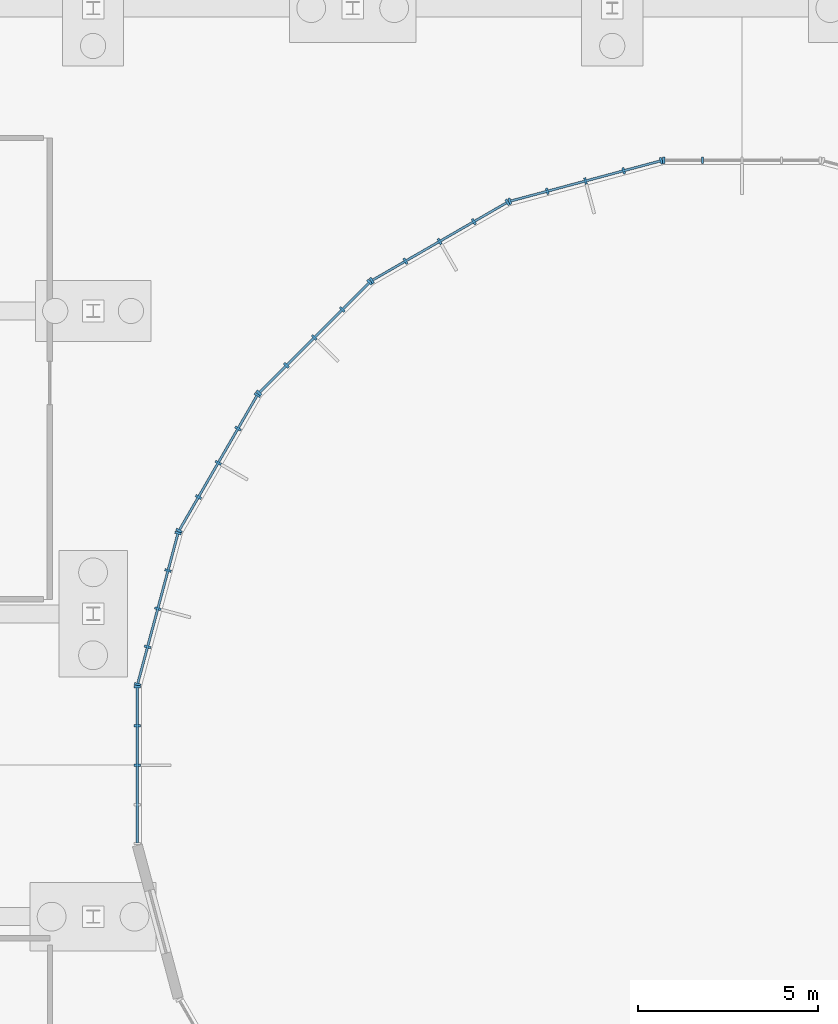
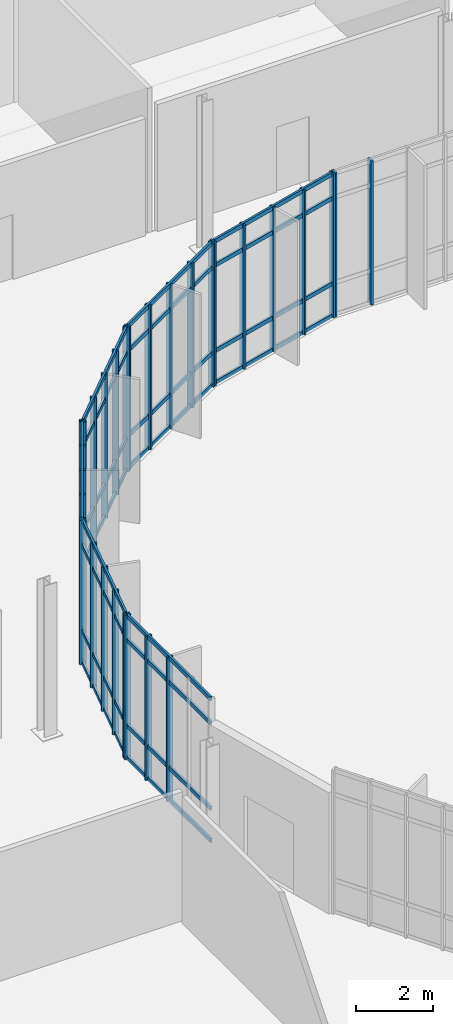
# One storey, part 44 of 118: 54 members, 7 elements without a shape of their own.
"""IFC4 building model written with IfcOpenShell, lengths in metres."""

from ifc_helpers import new_model, si_unit, direction, frame, origin, origin_2d, place, context, subcontext, project, spatial, rectangle, extrude, material, material_profile, profile_set, type_object, element, aggregate, save


model = new_model("IFC4")

# Units and contexts
model_context = context("Model", 3, precision=1e-05, world=origin(), true_north=direction((0.0, 1.0)))
body_context = subcontext(model_context, "Body", "Model", "MODEL_VIEW")
ifc_project = project(units=[si_unit("LENGTHUNIT", "METRE"), si_unit("AREAUNIT", "SQUARE_METRE"), si_unit("VOLUMEUNIT", "CUBIC_METRE"), si_unit("PLANEANGLEUNIT", "RADIAN"), si_unit("MASSUNIT", "GRAM", prefix="KILO")], contexts=[model_context])

# Site, building, storey
site_placement = place(None, origin())
site = spatial("IfcSite", under=ifc_project, at=site_placement, CompositionType="ELEMENT")
building_placement = place(site_placement, origin())
building = spatial("IfcBuilding", under=site, at=building_placement, Name="Qelthora Terrace Specialist Clinic", CompositionType="ELEMENT")
storey_placement = place(building_placement, origin())
storey = spatial("IfcBuildingStorey", under=building, at=storey_placement, Name="L00", CompositionType="ELEMENT", Elevation=0.0)

# Curtain wall, members
ifc_material = material(Name="Aluminium anodized bronze", Category="aluminium")
curtain_wall_type = type_object("IfcCurtainWallType", Name="CW-CRTE-L00", PredefinedType="NOTDEFINED", material=ifc_material)
curtain_wall_1_placement = place(storey_placement, origin())
curtain_wall_1 = element("IfcCurtainWall", 1, at=curtain_wall_1_placement, inside=storey, type_object=curtain_wall_type, Name="Curtain wall CW-CE-L00-06", PredefinedType="NOTDEFINED")
ifc_material_profile_1 = material_profile(ifc_material, rectangle(XDim=0.06494140625, YDim=0.179931640625, at=origin_2d()), Name="CWM65X180")
ifc_profile_set_1 = profile_set([ifc_material_profile_1], Name="Aluminium anodized bronze")
member_type_1 = type_object("IfcMemberType", Name="CWM-65X180", PredefinedType="MULLION", material=ifc_profile_set_1)
member_1_placement = place(storey_placement, frame((124.903564453125, 79.7763671875, 0.0), z_axis=(0.0, 0.0, 1.0), x_axis=(-1.0, 0.0, 0.0)))
member_1 = element("IfcMember", 2, at=member_1_placement, type_object=member_type_1, Name="CW-CE-L00-06 mullion 4", PredefinedType="MULLION", context=body_context, shape_type="SweptSolid", body=[
    extrude(rectangle(XDim=0.06494140625, YDim=0.179931640625, at=origin_2d()), origin(), (0.0, 0.0, 1.0), 4.544921875),
])
member_2_placement = place(storey_placement, frame((123.8271484375, 79.7763671875, 0.0), z_axis=(0.0, 0.0, 1.0), x_axis=(-1.0, 0.0, 0.0)))
member_2 = element("IfcMember", 3, at=member_2_placement, type_object=member_type_1, Name="CW-CE-L00-06 mullion 5", PredefinedType="MULLION", context=body_context, shape_type="SweptSolid", body=[
    extrude(rectangle(XDim=0.06494140625, YDim=0.179931640625, at=origin_2d()), origin(), (0.0, 0.0, 1.0), 4.544921875),
])
aggregate(curtain_wall_1, [member_1, member_2])

curtain_wall_2_placement = place(storey_placement, origin())
curtain_wall_2 = element("IfcCurtainWall", 4, at=curtain_wall_2_placement, inside=storey, type_object=curtain_wall_type, Name="Curtain wall CW-CE-L00-07", PredefinedType="NOTDEFINED")
member_3_placement = place(storey_placement, frame((123.7568359375, 79.76708984375, 0.0), z_axis=(0.0, 0.0, 1.0), x_axis=(-0.965925660235, -0.258819664824, 0.0)))
member_3 = element("IfcMember", 5, at=member_3_placement, type_object=member_type_1, Name="CW-CE-L00-07 mullion 1", PredefinedType="MULLION", context=body_context, shape_type="SweptSolid", body=[
    extrude(rectangle(XDim=0.06494140625, YDim=0.179931640625, at=origin_2d()), origin(), (0.0, 0.0, 1.0), 4.544921875),
])
member_4_placement = place(storey_placement, frame((122.717041015625, 79.488525390625, 0.0), z_axis=(0.0, 0.0, 1.0), x_axis=(-0.965925660235, -0.258819664824, 0.0)))
member_4 = element("IfcMember", 6, at=member_4_placement, type_object=member_type_1, Name="CW-CE-L00-07 mullion 2", PredefinedType="MULLION", context=body_context, shape_type="SweptSolid", body=[
    extrude(rectangle(XDim=0.06494140625, YDim=0.179931640625, at=origin_2d()), origin(), (0.0, 0.0, 1.0), 4.544921875),
])
member_5_placement = place(storey_placement, frame((121.657958984375, 79.20458984375, 0.0), z_axis=(0.0, 0.0, 1.0), x_axis=(-0.965925660235, -0.258819664824, 0.0)))
member_5 = element("IfcMember", 7, at=member_5_placement, type_object=member_type_1, Name="CW-CE-L00-07 mullion 3", PredefinedType="MULLION", context=body_context, shape_type="SweptSolid", body=[
    extrude(rectangle(XDim=0.06494140625, YDim=0.179931640625, at=origin_2d()), origin(), (0.0, 0.0, 1.0), 4.544921875),
])
member_6_placement = place(storey_placement, frame((120.598876953125, 78.9208984375, 0.0), z_axis=(0.0, 0.0, 1.0), x_axis=(-0.965925660235, -0.258819664824, 0.0)))
member_6 = element("IfcMember", 8, at=member_6_placement, type_object=member_type_1, Name="CW-CE-L00-07 mullion 4", PredefinedType="MULLION", context=body_context, shape_type="SweptSolid", body=[
    extrude(rectangle(XDim=0.06494140625, YDim=0.179931640625, at=origin_2d()), origin(), (0.0, 0.0, 1.0), 4.544921875),
])
member_7_placement = place(storey_placement, frame((119.55908203125, 78.642333984375, 0.0), z_axis=(0.0, 0.0, 1.0), x_axis=(-0.965925660235, -0.258819664824, 0.0)))
member_7 = element("IfcMember", 9, at=member_7_placement, type_object=member_type_1, Name="CW-CE-L00-07 mullion 5", PredefinedType="MULLION", context=body_context, shape_type="SweptSolid", body=[
    extrude(rectangle(XDim=0.06494140625, YDim=0.179931640625, at=origin_2d()), origin(), (0.0, 0.0, 1.0), 4.544921875),
])

curtain_wall_3_placement = place(storey_placement, origin())
curtain_wall_3 = element("IfcCurtainWall", 10, at=curtain_wall_3_placement, inside=storey, type_object=curtain_wall_type, Name="Curtain wall CW-CE-L00-08", PredefinedType="NOTDEFINED")
member_8_placement = place(storey_placement, frame((119.49365234375, 78.614990234375, 0.0), z_axis=(0.0, 0.0, 1.0), x_axis=(-0.86602538709, -0.500000028915, 0.0)))
member_8 = element("IfcMember", 11, at=member_8_placement, type_object=member_type_1, Name="CW-CE-L00-08 mullion 1", PredefinedType="MULLION", context=body_context, shape_type="SweptSolid", body=[
    extrude(rectangle(XDim=0.06494140625, YDim=0.179931640625, at=origin_2d()), origin(), (0.0, 0.0, 1.0), 4.544921875),
])
member_9_placement = place(storey_placement, frame((118.561279296875, 78.076904296875, 0.0), z_axis=(0.0, 0.0, 1.0), x_axis=(-0.86602538709, -0.500000028915, 0.0)))
member_9 = element("IfcMember", 12, at=member_9_placement, type_object=member_type_1, Name="CW-CE-L00-08 mullion 2", PredefinedType="MULLION", context=body_context, shape_type="SweptSolid", body=[
    extrude(rectangle(XDim=0.06494140625, YDim=0.179931640625, at=origin_2d()), origin(), (0.0, 0.0, 1.0), 4.544921875),
])
member_10_placement = place(storey_placement, frame((117.61181640625, 77.528564453125, 0.0), z_axis=(0.0, 0.0, 1.0), x_axis=(-0.86602538709, -0.500000028915, 0.0)))
member_10 = element("IfcMember", 13, at=member_10_placement, type_object=member_type_1, Name="CW-CE-L00-08 mullion 3", PredefinedType="MULLION", context=body_context, shape_type="SweptSolid", body=[
    extrude(rectangle(XDim=0.06494140625, YDim=0.179931640625, at=origin_2d()), origin(), (0.0, 0.0, 1.0), 4.544921875),
])
member_11_placement = place(storey_placement, frame((116.662353515625, 76.98046875, 0.0), z_axis=(0.0, 0.0, 1.0), x_axis=(-0.86602538709, -0.500000028915, 0.0)))
member_11 = element("IfcMember", 14, at=member_11_placement, type_object=member_type_1, Name="CW-CE-L00-08 mullion 4", PredefinedType="MULLION", context=body_context, shape_type="SweptSolid", body=[
    extrude(rectangle(XDim=0.06494140625, YDim=0.179931640625, at=origin_2d()), origin(), (0.0, 0.0, 1.0), 4.544921875),
])
member_12_placement = place(storey_placement, frame((115.730224609375, 76.442138671875, 0.0), z_axis=(0.0, 0.0, 1.0), x_axis=(-0.86602538709, -0.500000028915, 0.0)))
member_12 = element("IfcMember", 15, at=member_12_placement, type_object=member_type_1, Name="CW-CE-L00-08 mullion 5", PredefinedType="MULLION", context=body_context, shape_type="SweptSolid", body=[
    extrude(rectangle(XDim=0.06494140625, YDim=0.179931640625, at=origin_2d()), origin(), (0.0, 0.0, 1.0), 4.544921875),
])

curtain_wall_4_placement = place(storey_placement, origin())
curtain_wall_4 = element("IfcCurtainWall", 16, at=curtain_wall_4_placement, inside=storey, type_object=curtain_wall_type, Name="Curtain wall CW-CE-L00-09", PredefinedType="NOTDEFINED")
member_13_placement = place(storey_placement, frame((115.673828125, 76.399169921875, 0.0), z_axis=(0.0, 0.0, 1.0), x_axis=(-0.707106781187, -0.707106781187, 0.0)))
member_13 = element("IfcMember", 17, at=member_13_placement, type_object=member_type_1, Name="CW-CE-L00-09 mullion 1", PredefinedType="MULLION", context=body_context, shape_type="SweptSolid", body=[
    extrude(rectangle(XDim=0.06494140625, YDim=0.179931640625, at=origin_2d()), origin(), (0.0, 0.0, 1.0), 4.544921875),
])
member_14_placement = place(storey_placement, frame((114.91259765625, 75.637939453125, 0.0), z_axis=(0.0, 0.0, 1.0), x_axis=(-0.707106781187, -0.707106781187, 0.0)))
member_14 = element("IfcMember", 18, at=member_14_placement, type_object=member_type_1, Name="CW-CE-L00-09 mullion 2", PredefinedType="MULLION", context=body_context, shape_type="SweptSolid", body=[
    extrude(rectangle(XDim=0.06494140625, YDim=0.179931640625, at=origin_2d()), origin(), (0.0, 0.0, 1.0), 4.544921875),
])
member_15_placement = place(storey_placement, frame((114.137451171875, 74.862548828125, 0.0), z_axis=(0.0, 0.0, 1.0), x_axis=(-0.707106781187, -0.707106781187, 0.0)))
member_15 = element("IfcMember", 19, at=member_15_placement, type_object=member_type_1, Name="CW-CE-L00-09 mullion 3", PredefinedType="MULLION", context=body_context, shape_type="SweptSolid", body=[
    extrude(rectangle(XDim=0.06494140625, YDim=0.179931640625, at=origin_2d()), origin(), (0.0, 0.0, 1.0), 4.544921875),
])
member_16_placement = place(storey_placement, frame((113.362060546875, 74.08740234375, 0.0), z_axis=(0.0, 0.0, 1.0), x_axis=(-0.707106781187, -0.707106781187, 0.0)))
member_16 = element("IfcMember", 20, at=member_16_placement, type_object=member_type_1, Name="CW-CE-L00-09 mullion 4", PredefinedType="MULLION", context=body_context, shape_type="SweptSolid", body=[
    extrude(rectangle(XDim=0.06494140625, YDim=0.179931640625, at=origin_2d()), origin(), (0.0, 0.0, 1.0), 4.544921875),
])
member_17_placement = place(storey_placement, frame((112.600830078125, 73.326171875, 0.0), z_axis=(0.0, 0.0, 1.0), x_axis=(-0.707106781187, -0.707106781187, 0.0)))
member_17 = element("IfcMember", 21, at=member_17_placement, type_object=member_type_1, Name="CW-CE-L00-09 mullion 5", PredefinedType="MULLION", context=body_context, shape_type="SweptSolid", body=[
    extrude(rectangle(XDim=0.06494140625, YDim=0.179931640625, at=origin_2d()), origin(), (0.0, 0.0, 1.0), 4.544921875),
])

curtain_wall_5_placement = place(storey_placement, origin())
curtain_wall_5 = element("IfcCurtainWall", 22, at=curtain_wall_5_placement, inside=storey, type_object=curtain_wall_type, Name="Curtain wall CW-CE-L00-10", PredefinedType="NOTDEFINED")
member_18_placement = place(storey_placement, frame((112.557861328125, 73.269775390625, 0.0), z_axis=(0.0, 0.0, 1.0), x_axis=(-0.500000028915, -0.86602538709, 0.0)))
member_18 = element("IfcMember", 23, at=member_18_placement, type_object=member_type_1, Name="CW-CE-L00-10 mullion 1", PredefinedType="MULLION", context=body_context, shape_type="SweptSolid", body=[
    extrude(rectangle(XDim=0.06494140625, YDim=0.179931640625, at=origin_2d()), origin(), (0.0, 0.0, 1.0), 4.544921875),
])
member_19_placement = place(storey_placement, frame((112.01953125, 72.337646484375, 0.0), z_axis=(0.0, 0.0, 1.0), x_axis=(-0.500000028915, -0.86602538709, 0.0)))
member_19 = element("IfcMember", 24, at=member_19_placement, type_object=member_type_1, Name="CW-CE-L00-10 mullion 2", PredefinedType="MULLION", context=body_context, shape_type="SweptSolid", body=[
    extrude(rectangle(XDim=0.06494140625, YDim=0.179931640625, at=origin_2d()), origin(), (0.0, 0.0, 1.0), 4.544921875),
])
member_20_placement = place(storey_placement, frame((111.471435546875, 71.38818359375, 0.0), z_axis=(0.0, 0.0, 1.0), x_axis=(-0.500000028915, -0.86602538709, 0.0)))
member_20 = element("IfcMember", 25, at=member_20_placement, type_object=member_type_1, Name="CW-CE-L00-10 mullion 3", PredefinedType="MULLION", context=body_context, shape_type="SweptSolid", body=[
    extrude(rectangle(XDim=0.06494140625, YDim=0.179931640625, at=origin_2d()), origin(), (0.0, 0.0, 1.0), 4.544921875),
])
member_21_placement = place(storey_placement, frame((110.923095703125, 70.438720703125, 0.0), z_axis=(0.0, 0.0, 1.0), x_axis=(-0.500000028915, -0.86602538709, 0.0)))
member_21 = element("IfcMember", 26, at=member_21_placement, type_object=member_type_1, Name="CW-CE-L00-10 mullion 4", PredefinedType="MULLION", context=body_context, shape_type="SweptSolid", body=[
    extrude(rectangle(XDim=0.06494140625, YDim=0.179931640625, at=origin_2d()), origin(), (0.0, 0.0, 1.0), 4.544921875),
])
member_22_placement = place(storey_placement, frame((110.385009765625, 69.50634765625, 0.0), z_axis=(0.0, 0.0, 1.0), x_axis=(-0.500000028915, -0.86602538709, 0.0)))
member_22 = element("IfcMember", 27, at=member_22_placement, type_object=member_type_1, Name="CW-CE-L00-10 mullion 5", PredefinedType="MULLION", context=body_context, shape_type="SweptSolid", body=[
    extrude(rectangle(XDim=0.06494140625, YDim=0.179931640625, at=origin_2d()), origin(), (0.0, 0.0, 1.0), 4.544921875),
])

curtain_wall_6_placement = place(storey_placement, origin())
curtain_wall_6 = element("IfcCurtainWall", 28, at=curtain_wall_6_placement, inside=storey, type_object=curtain_wall_type, Name="Curtain wall CW-CE-L00-11", PredefinedType="NOTDEFINED")
member_23_placement = place(storey_placement, frame((110.357666015625, 69.44091796875, 0.0), z_axis=(0.0, 0.0, 1.0), x_axis=(-0.258819664824, -0.965925660235, 0.0)))
member_23 = element("IfcMember", 29, at=member_23_placement, type_object=member_type_1, Name="CW-CE-L00-11 mullion 1", PredefinedType="MULLION", context=body_context, shape_type="SweptSolid", body=[
    extrude(rectangle(XDim=0.06494140625, YDim=0.179931640625, at=origin_2d()), origin(), (0.0, 0.0, 1.0), 4.544921875),
])
member_24_placement = place(storey_placement, frame((110.0791015625, 68.401123046875, 0.0), z_axis=(0.0, 0.0, 1.0), x_axis=(-0.258819664824, -0.965925660235, 0.0)))
member_24 = element("IfcMember", 30, at=member_24_placement, type_object=member_type_1, Name="CW-CE-L00-11 mullion 2", PredefinedType="MULLION", context=body_context, shape_type="SweptSolid", body=[
    extrude(rectangle(XDim=0.06494140625, YDim=0.179931640625, at=origin_2d()), origin(), (0.0, 0.0, 1.0), 4.544921875),
])
member_25_placement = place(storey_placement, frame((109.79541015625, 67.342041015625, 0.0), z_axis=(0.0, 0.0, 1.0), x_axis=(-0.258819664824, -0.965925660235, 0.0)))
member_25 = element("IfcMember", 31, at=member_25_placement, type_object=member_type_1, Name="CW-CE-L00-11 mullion 3", PredefinedType="MULLION", context=body_context, shape_type="SweptSolid", body=[
    extrude(rectangle(XDim=0.06494140625, YDim=0.179931640625, at=origin_2d()), origin(), (0.0, 0.0, 1.0), 4.544921875),
])
member_26_placement = place(storey_placement, frame((109.511474609375, 66.282958984375, 0.0), z_axis=(0.0, 0.0, 1.0), x_axis=(-0.258819664824, -0.965925660235, 0.0)))
member_26 = element("IfcMember", 32, at=member_26_placement, type_object=member_type_1, Name="CW-CE-L00-11 mullion 4", PredefinedType="MULLION", context=body_context, shape_type="SweptSolid", body=[
    extrude(rectangle(XDim=0.06494140625, YDim=0.179931640625, at=origin_2d()), origin(), (0.0, 0.0, 1.0), 4.544921875),
])
member_27_placement = place(storey_placement, frame((109.23291015625, 65.2431640625, 0.0), z_axis=(0.0, 0.0, 1.0), x_axis=(-0.258819664824, -0.965925660235, 0.0)))
member_27 = element("IfcMember", 33, at=member_27_placement, type_object=member_type_1, Name="CW-CE-L00-11 mullion 5", PredefinedType="MULLION", context=body_context, shape_type="SweptSolid", body=[
    extrude(rectangle(XDim=0.06494140625, YDim=0.179931640625, at=origin_2d()), origin(), (0.0, 0.0, 1.0), 4.544921875),
])

curtain_wall_7_placement = place(storey_placement, origin())
curtain_wall_7 = element("IfcCurtainWall", 34, at=curtain_wall_7_placement, inside=storey, type_object=curtain_wall_type, Name="Curtain wall CW-CE-L00-12", PredefinedType="NOTDEFINED")
member_28_placement = place(storey_placement, frame((109.2236328125, 65.1728515625, 0.0), z_axis=(0.0, 0.0, 1.0), x_axis=(0.0, -1.0, 0.0)))
member_28 = element("IfcMember", 35, at=member_28_placement, type_object=member_type_1, Name="CW-CE-L00-12 mullion 1", PredefinedType="MULLION", context=body_context, shape_type="SweptSolid", body=[
    extrude(rectangle(XDim=0.06494140625, YDim=0.179931640625, at=origin_2d()), origin(), (0.0, 0.0, 1.0), 4.544921875),
])
member_29_placement = place(storey_placement, frame((109.2236328125, 64.096435546875, 0.0), z_axis=(0.0, 0.0, 1.0), x_axis=(0.0, -1.0, 0.0)))
member_29 = element("IfcMember", 36, at=member_29_placement, type_object=member_type_1, Name="CW-CE-L00-12 mullion 2", PredefinedType="MULLION", context=body_context, shape_type="SweptSolid", body=[
    extrude(rectangle(XDim=0.06494140625, YDim=0.179931640625, at=origin_2d()), origin(), (0.0, 0.0, 1.0), 4.544921875),
])
member_30_placement = place(storey_placement, frame((109.2236328125, 63.0, 0.0), z_axis=(0.0, 0.0, 1.0), x_axis=(0.0, -1.0, 0.0)))
member_30 = element("IfcMember", 37, at=member_30_placement, type_object=member_type_1, Name="CW-CE-L00-12 mullion 3", PredefinedType="MULLION", context=body_context, shape_type="SweptSolid", body=[
    extrude(rectangle(XDim=0.06494140625, YDim=0.179931640625, at=origin_2d()), origin(), (0.0, 0.0, 1.0), 4.544921875),
])

# Member
ifc_material_profile_2 = material_profile(ifc_material, rectangle(XDim=0.06494140625, YDim=0.1298828125, at=origin_2d()), Name="CWT65X130")
ifc_profile_set_2 = profile_set([ifc_material_profile_2], Name="Aluminium anodized bronze")
member_type_2 = type_object("IfcMemberType", Name="CWT-65X130", PredefinedType="USERDEFINED", material=ifc_profile_set_2)
member_31_placement = place(storey_placement, frame((123.737548828125, 79.76171875, 0.0400390625), z_axis=(-0.965933119212, -0.25879182601, 0.0), x_axis=(0.25879182601, -0.965933119212, 0.0)))
member_31 = element("IfcMember", 38, at=member_31_placement, type_object=member_type_2, Name="CW-CE-L00-07 transom 1", ObjectType="TRANSOM", PredefinedType="USERDEFINED", context=body_context, shape_type="SweptSolid", body=[
    extrude(rectangle(XDim=0.06494140625, YDim=0.1298828125, at=origin_2d()), origin(), (0.0, 0.0, 1.0), 4.3056640625),
])

member_32_placement = place(storey_placement, frame((123.737548828125, 79.76171875, 1.050048828125), z_axis=(-0.965933119212, -0.25879182601, 0.0), x_axis=(0.25879182601, -0.965933119212, 0.0)))
member_32 = element("IfcMember", 39, at=member_32_placement, type_object=member_type_2, Name="CW-CE-L00-07 transom 2", ObjectType="TRANSOM", PredefinedType="USERDEFINED", context=body_context, shape_type="SweptSolid", body=[
    extrude(rectangle(XDim=0.06494140625, YDim=0.1298828125, at=origin_2d()), origin(), (0.0, 0.0, 1.0), 4.3056640625),
])

member_33_placement = place(storey_placement, frame((123.737548828125, 79.76171875, 3.7451171875), z_axis=(-0.965933119212, -0.25879182601, 0.0), x_axis=(0.25879182601, -0.965933119212, 0.0)))
member_33 = element("IfcMember", 40, at=member_33_placement, type_object=member_type_2, Name="CW-CE-L00-07 transom 3", ObjectType="TRANSOM", PredefinedType="USERDEFINED", context=body_context, shape_type="SweptSolid", body=[
    extrude(rectangle(XDim=0.06494140625, YDim=0.1298828125, at=origin_2d()), origin(), (0.0, 0.0, 1.0), 4.3056640625),
])

member_34_placement = place(storey_placement, frame((123.737548828125, 79.76171875, 4.5048828125), z_axis=(-0.965933119212, -0.25879182601, 0.0), x_axis=(0.25879182601, -0.965933119212, 0.0)))
member_34 = element("IfcMember", 41, at=member_34_placement, type_object=member_type_2, Name="CW-CE-L00-07 transom 4", ObjectType="TRANSOM", PredefinedType="USERDEFINED", context=body_context, shape_type="SweptSolid", body=[
    extrude(rectangle(XDim=0.06494140625, YDim=0.1298828125, at=origin_2d()), origin(), (0.0, 0.0, 1.0), 4.3056640625),
])

aggregate(curtain_wall_2, [member_3, member_4, member_5, member_6, member_7, member_31, member_32, member_33, member_34])

member_35_placement = place(storey_placement, frame((119.476318359375, 78.60498046875, 0.0400390625), z_axis=(-0.866022228109, -0.500005500391, 0.0), x_axis=(0.500005500391, -0.866022228109, 0.0)))
member_35 = element("IfcMember", 42, at=member_35_placement, type_object=member_type_2, Name="CW-CE-L00-08 transom 1", ObjectType="TRANSOM", PredefinedType="USERDEFINED", context=body_context, shape_type="SweptSolid", body=[
    extrude(rectangle(XDim=0.06494140625, YDim=0.1298828125, at=origin_2d()), origin(), (0.0, 0.0, 1.0), 4.3056640625),
])

member_36_placement = place(storey_placement, frame((119.476318359375, 78.60498046875, 1.050048828125), z_axis=(-0.866022228109, -0.500005500391, 0.0), x_axis=(0.500005500391, -0.866022228109, 0.0)))
member_36 = element("IfcMember", 43, at=member_36_placement, type_object=member_type_2, Name="CW-CE-L00-08 transom 2", ObjectType="TRANSOM", PredefinedType="USERDEFINED", context=body_context, shape_type="SweptSolid", body=[
    extrude(rectangle(XDim=0.06494140625, YDim=0.1298828125, at=origin_2d()), origin(), (0.0, 0.0, 1.0), 4.3056640625),
])

member_37_placement = place(storey_placement, frame((119.476318359375, 78.60498046875, 3.7451171875), z_axis=(-0.866022228109, -0.500005500391, 0.0), x_axis=(0.500005500391, -0.866022228109, 0.0)))
member_37 = element("IfcMember", 44, at=member_37_placement, type_object=member_type_2, Name="CW-CE-L00-08 transom 3", ObjectType="TRANSOM", PredefinedType="USERDEFINED", context=body_context, shape_type="SweptSolid", body=[
    extrude(rectangle(XDim=0.06494140625, YDim=0.1298828125, at=origin_2d()), origin(), (0.0, 0.0, 1.0), 4.3056640625),
])

member_38_placement = place(storey_placement, frame((119.476318359375, 78.60498046875, 4.5048828125), z_axis=(-0.866022228109, -0.500005500391, 0.0), x_axis=(0.500005500391, -0.866022228109, 0.0)))
member_38 = element("IfcMember", 45, at=member_38_placement, type_object=member_type_2, Name="CW-CE-L00-08 transom 4", ObjectType="TRANSOM", PredefinedType="USERDEFINED", context=body_context, shape_type="SweptSolid", body=[
    extrude(rectangle(XDim=0.06494140625, YDim=0.1298828125, at=origin_2d()), origin(), (0.0, 0.0, 1.0), 4.3056640625),
])

aggregate(curtain_wall_3, [member_8, member_9, member_10, member_11, member_12, member_35, member_36, member_37, member_38])

member_39_placement = place(storey_placement, frame((115.65966796875, 76.385009765625, 0.0400390625), z_axis=(-0.707106781187, -0.707106781187, 0.0), x_axis=(0.707106781187, -0.707106781187, 0.0)))
member_39 = element("IfcMember", 46, at=member_39_placement, type_object=member_type_2, Name="CW-CE-L00-09 transom 1", ObjectType="TRANSOM", PredefinedType="USERDEFINED", context=body_context, shape_type="SweptSolid", body=[
    extrude(rectangle(XDim=0.06494140625, YDim=0.1298828125, at=origin_2d()), origin(), (0.0, 0.0, 1.0), 4.305908203125),
])

member_40_placement = place(storey_placement, frame((115.65966796875, 76.385009765625, 1.050048828125), z_axis=(-0.707106781187, -0.707106781187, 0.0), x_axis=(0.707106781187, -0.707106781187, 0.0)))
member_40 = element("IfcMember", 47, at=member_40_placement, type_object=member_type_2, Name="CW-CE-L00-09 transom 2", ObjectType="TRANSOM", PredefinedType="USERDEFINED", context=body_context, shape_type="SweptSolid", body=[
    extrude(rectangle(XDim=0.06494140625, YDim=0.1298828125, at=origin_2d()), origin(), (0.0, 0.0, 1.0), 4.305908203125),
])

member_41_placement = place(storey_placement, frame((115.65966796875, 76.385009765625, 3.7451171875), z_axis=(-0.707106781187, -0.707106781187, 0.0), x_axis=(0.707106781187, -0.707106781187, 0.0)))
member_41 = element("IfcMember", 48, at=member_41_placement, type_object=member_type_2, Name="CW-CE-L00-09 transom 3", ObjectType="TRANSOM", PredefinedType="USERDEFINED", context=body_context, shape_type="SweptSolid", body=[
    extrude(rectangle(XDim=0.06494140625, YDim=0.1298828125, at=origin_2d()), origin(), (0.0, 0.0, 1.0), 4.305908203125),
])

member_42_placement = place(storey_placement, frame((115.65966796875, 76.385009765625, 4.5048828125), z_axis=(-0.707106781187, -0.707106781187, 0.0), x_axis=(0.707106781187, -0.707106781187, 0.0)))
member_42 = element("IfcMember", 49, at=member_42_placement, type_object=member_type_2, Name="CW-CE-L00-09 transom 4", ObjectType="TRANSOM", PredefinedType="USERDEFINED", context=body_context, shape_type="SweptSolid", body=[
    extrude(rectangle(XDim=0.06494140625, YDim=0.1298828125, at=origin_2d()), origin(), (0.0, 0.0, 1.0), 4.305908203125),
])

aggregate(curtain_wall_4, [member_13, member_14, member_15, member_16, member_17, member_39, member_40, member_41, member_42])

member_43_placement = place(storey_placement, frame((112.5478515625, 73.25244140625, 0.0400390625), z_axis=(-0.500005500391, -0.866022228109, 0.0), x_axis=(0.866022228109, -0.500005500391, 0.0)))
member_43 = element("IfcMember", 50, at=member_43_placement, type_object=member_type_2, Name="CW-CE-L00-10 transom 1", ObjectType="TRANSOM", PredefinedType="USERDEFINED", context=body_context, shape_type="SweptSolid", body=[
    extrude(rectangle(XDim=0.06494140625, YDim=0.1298828125, at=origin_2d()), origin(), (0.0, 0.0, 1.0), 4.3056640625),
])

member_44_placement = place(storey_placement, frame((112.5478515625, 73.25244140625, 1.050048828125), z_axis=(-0.500005500391, -0.866022228109, 0.0), x_axis=(0.866022228109, -0.500005500391, 0.0)))
member_44 = element("IfcMember", 51, at=member_44_placement, type_object=member_type_2, Name="CW-CE-L00-10 transom 2", ObjectType="TRANSOM", PredefinedType="USERDEFINED", context=body_context, shape_type="SweptSolid", body=[
    extrude(rectangle(XDim=0.06494140625, YDim=0.1298828125, at=origin_2d()), origin(), (0.0, 0.0, 1.0), 4.3056640625),
])

member_45_placement = place(storey_placement, frame((112.5478515625, 73.25244140625, 3.7451171875), z_axis=(-0.500005500391, -0.866022228109, 0.0), x_axis=(0.866022228109, -0.500005500391, 0.0)))
member_45 = element("IfcMember", 52, at=member_45_placement, type_object=member_type_2, Name="CW-CE-L00-10 transom 3", ObjectType="TRANSOM", PredefinedType="USERDEFINED", context=body_context, shape_type="SweptSolid", body=[
    extrude(rectangle(XDim=0.06494140625, YDim=0.1298828125, at=origin_2d()), origin(), (0.0, 0.0, 1.0), 4.3056640625),
])

member_46_placement = place(storey_placement, frame((112.5478515625, 73.25244140625, 4.5048828125), z_axis=(-0.500005500391, -0.866022228109, 0.0), x_axis=(0.866022228109, -0.500005500391, 0.0)))
member_46 = element("IfcMember", 53, at=member_46_placement, type_object=member_type_2, Name="CW-CE-L00-10 transom 4", ObjectType="TRANSOM", PredefinedType="USERDEFINED", context=body_context, shape_type="SweptSolid", body=[
    extrude(rectangle(XDim=0.06494140625, YDim=0.1298828125, at=origin_2d()), origin(), (0.0, 0.0, 1.0), 4.3056640625),
])

aggregate(curtain_wall_5, [member_18, member_19, member_20, member_21, member_22, member_43, member_44, member_45, member_46])

member_47_placement = place(storey_placement, frame((110.3525390625, 69.42138671875, 0.0400390625), z_axis=(-0.25879182601, -0.965933119212, 0.0), x_axis=(0.965933119212, -0.25879182601, 0.0)))
member_47 = element("IfcMember", 54, at=member_47_placement, type_object=member_type_2, Name="CW-CE-L00-11 transom 1", ObjectType="TRANSOM", PredefinedType="USERDEFINED", context=body_context, shape_type="SweptSolid", body=[
    extrude(rectangle(XDim=0.06494140625, YDim=0.1298828125, at=origin_2d()), origin(), (0.0, 0.0, 1.0), 4.3056640625),
])

member_48_placement = place(storey_placement, frame((110.3525390625, 69.42138671875, 1.050048828125), z_axis=(-0.25879182601, -0.965933119212, 0.0), x_axis=(0.965933119212, -0.25879182601, 0.0)))
member_48 = element("IfcMember", 55, at=member_48_placement, type_object=member_type_2, Name="CW-CE-L00-11 transom 2", ObjectType="TRANSOM", PredefinedType="USERDEFINED", context=body_context, shape_type="SweptSolid", body=[
    extrude(rectangle(XDim=0.06494140625, YDim=0.1298828125, at=origin_2d()), origin(), (0.0, 0.0, 1.0), 4.3056640625),
])

member_49_placement = place(storey_placement, frame((110.3525390625, 69.42138671875, 3.7451171875), z_axis=(-0.25879182601, -0.965933119212, 0.0), x_axis=(0.965933119212, -0.25879182601, 0.0)))
member_49 = element("IfcMember", 56, at=member_49_placement, type_object=member_type_2, Name="CW-CE-L00-11 transom 3", ObjectType="TRANSOM", PredefinedType="USERDEFINED", context=body_context, shape_type="SweptSolid", body=[
    extrude(rectangle(XDim=0.06494140625, YDim=0.1298828125, at=origin_2d()), origin(), (0.0, 0.0, 1.0), 4.3056640625),
])

member_50_placement = place(storey_placement, frame((110.3525390625, 69.42138671875, 4.5048828125), z_axis=(-0.25879182601, -0.965933119212, 0.0), x_axis=(0.965933119212, -0.25879182601, 0.0)))
member_50 = element("IfcMember", 57, at=member_50_placement, type_object=member_type_2, Name="CW-CE-L00-11 transom 4", ObjectType="TRANSOM", PredefinedType="USERDEFINED", context=body_context, shape_type="SweptSolid", body=[
    extrude(rectangle(XDim=0.06494140625, YDim=0.1298828125, at=origin_2d()), origin(), (0.0, 0.0, 1.0), 4.3056640625),
])

aggregate(curtain_wall_6, [member_23, member_24, member_25, member_26, member_27, member_47, member_48, member_49, member_50])

member_51_placement = place(storey_placement, frame((109.2236328125, 65.15283203125, 0.0400390625), z_axis=(0.0, -1.0, 0.0), x_axis=(1.0, 0.0, 0.0)))
member_51 = element("IfcMember", 58, at=member_51_placement, type_object=member_type_2, Name="CW-CE-L00-12 transom 1", ObjectType="TRANSOM", PredefinedType="USERDEFINED", context=body_context, shape_type="SweptSolid", body=[
    extrude(rectangle(XDim=0.06494140625, YDim=0.1298828125, at=origin_2d()), origin(), (0.0, 0.0, 1.0), 4.3056640625),
])

member_52_placement = place(storey_placement, frame((109.2236328125, 65.15283203125, 1.050048828125), z_axis=(0.0, -1.0, 0.0), x_axis=(1.0, 0.0, 0.0)))
member_52 = element("IfcMember", 59, at=member_52_placement, type_object=member_type_2, Name="CW-CE-L00-12 transom 2", ObjectType="TRANSOM", PredefinedType="USERDEFINED", context=body_context, shape_type="SweptSolid", body=[
    extrude(rectangle(XDim=0.06494140625, YDim=0.1298828125, at=origin_2d()), origin(), (0.0, 0.0, 1.0), 4.3056640625),
])

member_53_placement = place(storey_placement, frame((109.2236328125, 65.15283203125, 3.7451171875), z_axis=(0.0, -1.0, 0.0), x_axis=(1.0, 0.0, 0.0)))
member_53 = element("IfcMember", 60, at=member_53_placement, type_object=member_type_2, Name="CW-CE-L00-12 transom 3", ObjectType="TRANSOM", PredefinedType="USERDEFINED", context=body_context, shape_type="SweptSolid", body=[
    extrude(rectangle(XDim=0.06494140625, YDim=0.1298828125, at=origin_2d()), origin(), (0.0, 0.0, 1.0), 4.3056640625),
])

member_54_placement = place(storey_placement, frame((109.2236328125, 65.15283203125, 4.5048828125), z_axis=(0.0, -1.0, 0.0), x_axis=(1.0, 0.0, 0.0)))
member_54 = element("IfcMember", 61, at=member_54_placement, type_object=member_type_2, Name="CW-CE-L00-12 transom 4", ObjectType="TRANSOM", PredefinedType="USERDEFINED", context=body_context, shape_type="SweptSolid", body=[
    extrude(rectangle(XDim=0.06494140625, YDim=0.1298828125, at=origin_2d()), origin(), (0.0, 0.0, 1.0), 4.3056640625),
])

aggregate(curtain_wall_7, [member_28, member_29, member_30, member_51, member_52, member_53, member_54])

save(model, "model.ifc")
